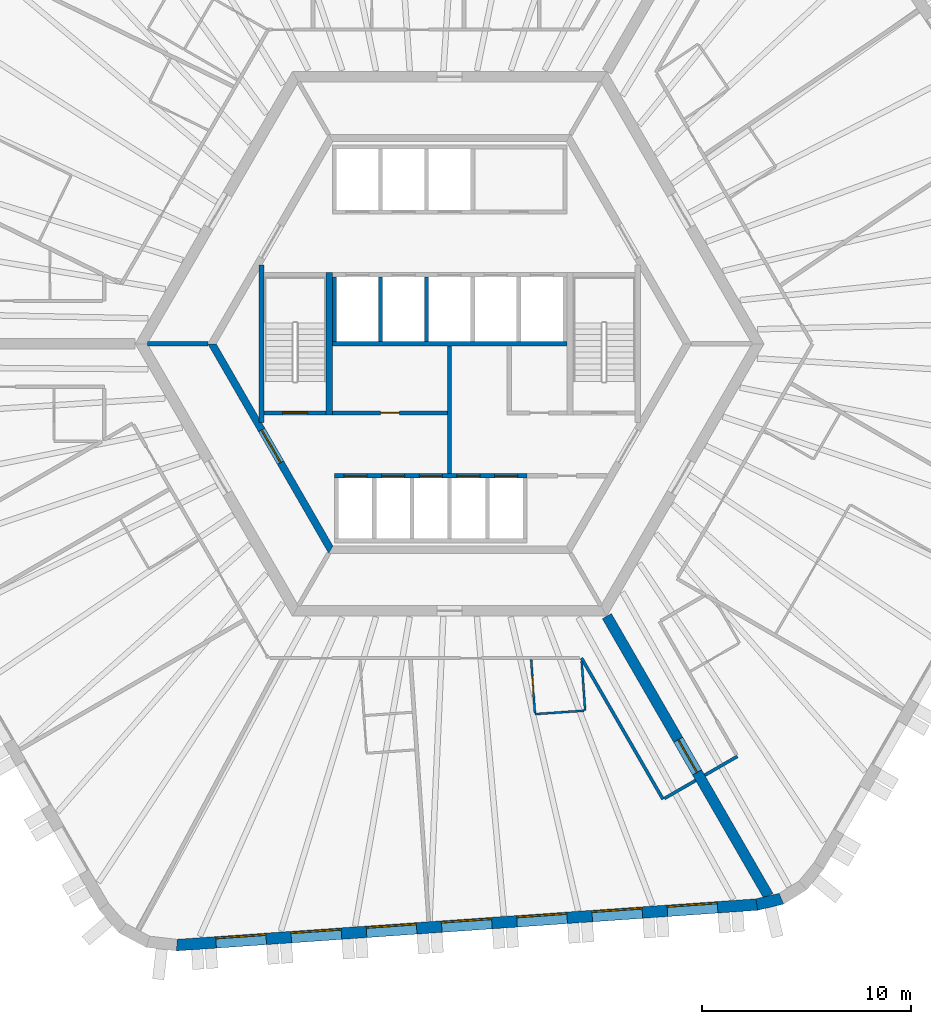
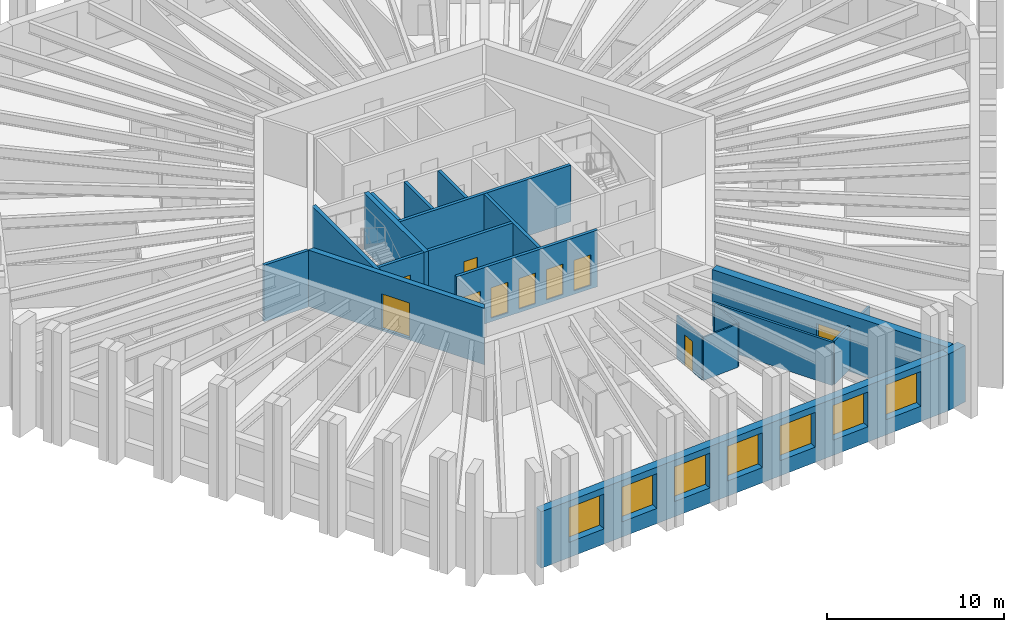
# One storey, part 4 of 11: 21 walls, 10 doors, 7 windows, 17 openings.
"""IFC4 building model written with IfcOpenShell, lengths in metres."""

from ifc_helpers import new_model, si_unit, direction, frame, frame_2d, origin, place, context, subcontext, project, spatial, polyline, rectangle, outline, extrude, material, layer, layer_set, type_object, element, fill, save


model = new_model("IFC4")

# Units and contexts
model_context = context("Model", 3, precision=1e-05, world=origin(), true_north=direction((0.0, 1.0)))
body_context = subcontext(model_context, "Body", "Model", "MODEL_VIEW")
ifc_project = project(units=[si_unit("LENGTHUNIT", "METRE"), si_unit("AREAUNIT", "SQUARE_METRE"), si_unit("VOLUMEUNIT", "CUBIC_METRE"), si_unit("PLANEANGLEUNIT", "RADIAN"), si_unit("MASSUNIT", "GRAM", prefix="KILO")], contexts=[model_context])

# Site, building, storey
site_placement = place(None, origin())
site = spatial("IfcSite", under=ifc_project, at=site_placement, CompositionType="ELEMENT")
building_placement = place(site_placement, origin())
building = spatial("IfcBuilding", under=site, at=building_placement, Name="Tarnside Tower", CompositionType="ELEMENT")
storey_placement = place(building_placement, frame((0.0, 0.0, 207.300048828125)))
storey = spatial("IfcBuildingStorey", under=building, at=storey_placement, Name="L49", CompositionType="ELEMENT", Elevation=207.300048828125)

# Walls
ifc_material_1 = material(Name="Gypsum board partition on steel studs", Category="steel")
ifc_layer_1 = layer(ifc_material_1, 0.10009765625)
ifc_layer_set_1 = layer_set([ifc_layer_1], Name="Bathroom wall 100")
wall_type_1 = type_object("IfcWallType", Name="Bathroom wall 100", PredefinedType="PARTITIONING", material=ifc_layer_set_1)
wall_1_placement = place(storey_placement, frame((6.30517578125, -15.170654296875, 0.0), z_axis=(0.0, 0.0, 1.0), x_axis=(0.06967780619, -0.997569548114, 0.0)))
element("IfcWall", 1, at=wall_1_placement, inside=storey, type_object=wall_type_1, Name="Bathroom wall 16092", PredefinedType="PARTITIONING", context=body_context, shape_type="SweptSolid", body=[
    extrude(rectangle(XDim=2.343994140625, YDim=0.10009765625, at=frame_2d((1.171875, 0.0))), origin(), (0.0, 0.0, 1.0), 2.98779296875),
])
wall_2_placement = place(storey_placement, frame((6.418701171875, -17.512451171875, 0.0), z_axis=(0.0, 0.0, 1.0), x_axis=(-0.997567210304, -0.069711268289, 0.0)))
element("IfcWall", 2, at=wall_2_placement, inside=storey, type_object=wall_type_1, Name="Bathroom wall 16093", PredefinedType="PARTITIONING", context=body_context, shape_type="SweptSolid", body=[
    extrude(rectangle(XDim=2.349853515625, YDim=0.10009765625, at=frame_2d((1.1748046875, 0.0))), origin(), (0.0, 0.0, 1.0), 2.98779296875),
])

# Wall, opening, door
wall_3_placement = place(storey_placement, frame((4.07080078125, -17.62646484375, 0.0), z_axis=(0.0, 0.0, 1.0), x_axis=(-0.06967999793, 0.997569395024, 0.0)))
wall_3 = element("IfcWall", 3, at=wall_3_placement, inside=storey, type_object=wall_type_1, Name="Bathroom wall 16094", PredefinedType="PARTITIONING", context=body_context, shape_type="SweptSolid", body=[
    extrude(rectangle(XDim=2.5576171875, YDim=0.10009765625, at=frame_2d((1.27880859375, 0.0))), origin(), (0.0, 0.0, 1.0), 2.98779296875),
])
opening_1_placement = place(wall_3_placement, frame((0.949951171875, 0.0, 0.0)))
opening_1 = element("IfcOpeningElement", 4, at=opening_1_placement, cuts=wall_3, Name="Opening D-B1", PredefinedType="OPENING", context=body_context, shape_type="SweptSolid", body=[
    extrude(rectangle(XDim=0.800048828125, YDim=2.10009765625, at=frame_2d((0.39990234375, 1.050048828125))), frame((0.0, 0.06005859375, 0.0), z_axis=(0.0, -1.0, 0.0), x_axis=(1.0, 0.0, 0.0)), (0.0, 0.0, 1.0), 0.1201171875),
])
ifc_material_2 = material(Name="Timber door leaf", Category="wood")
door_type_1 = type_object("IfcDoorType", Name="Bathroom door 800", OperationType="NOTDEFINED", PredefinedType="DOOR", material=ifc_material_2)
door_1_placement = place(opening_1_placement, origin())
door_1 = element("IfcDoor", 5, at=door_1_placement, inside=storey, type_object=door_type_1, Name="Bathroom door 16024", OperationType="SINGLE_SWING_LEFT", OverallHeight=2.10009765625, OverallWidth=0.800048828125, PredefinedType="DOOR", context=body_context, shape_type="SweptSolid", body=[
    extrude(rectangle(XDim=0.800048828125, YDim=2.10009765625, at=frame_2d((0.39990234375, 1.050048828125))), frame((0.0, 0.02490234375, 0.0), z_axis=(0.0, -1.0, 0.0), x_axis=(1.0, 0.0, 0.0)), (0.0, 0.0, 1.0), 0.050048828125),
])
fill(opening_1, door_1)

ifc_material_3 = material(Name="Concrete C50/60", Category="concrete")
ifc_layer_2 = layer(ifc_material_3, 0.35009765625)
ifc_layer_set_2 = layer_set([ifc_layer_2], Name="Core block wall 350 C50/60")
wall_type_2 = type_object("IfcWallType", Name="Core block wall 350 C50/60", PredefinedType="SHEAR", material=ifc_layer_set_2)
wall_4_placement = place(storey_placement, frame((-11.344970703125, 0.0, -0.150146484375), z_axis=(0.0, 0.0, 1.0), x_axis=(0.499995046907, -0.866028263435, 0.0)))
wall_4 = element("IfcWall", 6, at=wall_4_placement, inside=storey, type_object=wall_type_2, Name="L49 core block wall face 3", PredefinedType="SHEAR", context=body_context, shape_type="SweptSolid", body=[
    extrude(outline(polyline([(-0.10107421875, -0.175048828125), (11.44580078125, -0.175048828125), (11.24365234375, 0.175048828125), (0.10107421875, 0.175048828125), (-0.10107421875, -0.175048828125)])), origin(), (0.0, 0.0, 1.0), 3.900146484375),
])
opening_2_placement = place(wall_4_placement, frame((4.74365234375, 0.0, 0.14990234375)))
opening_2 = element("IfcOpeningElement", 7, at=opening_2_placement, cuts=wall_4, Name="Opening CD-FFL", PredefinedType="OPENING", context=body_context, shape_type="SweptSolid", body=[
    extrude(rectangle(XDim=1.800048828125, YDim=2.39990234375, at=frame_2d((0.89990234375, 1.199951171875))), frame((0.0, 0.18505859375, 0.0), z_axis=(0.0, -1.0, 0.0), x_axis=(1.0, 0.0, 0.0)), (0.0, 0.0, 1.0), 0.3701171875),
])
ifc_material_4 = material(Name="Steel fire door", Category="steel")
door_type_2 = type_object("IfcDoorType", Name="Firefighting lobby double door FD60S 1800x2400", OperationType="NOTDEFINED", PredefinedType="DOOR", material=ifc_material_4)
door_2_placement = place(opening_2_placement, origin())
door_2 = element("IfcDoor", 8, at=door_2_placement, inside=storey, type_object=door_type_2, Name="L49 lobby block door P3", OperationType="DOUBLE_DOOR_SINGLE_SWING", OverallHeight=2.39990234375, OverallWidth=1.800048828125, PredefinedType="DOOR", context=body_context, shape_type="SweptSolid", body=[
    extrude(rectangle(XDim=1.800048828125, YDim=2.39990234375, at=frame_2d((0.89990234375, 1.199951171875))), frame((0.0, 0.02490234375, 0.0), z_axis=(0.0, -1.0, 0.0), x_axis=(1.0, 0.0, 0.0)), (0.0, 0.0, 1.0), 0.050048828125),
])
fill(opening_2, door_2)

ifc_material_5 = material(Name="Concrete C40/50", Category="concrete")
ifc_layer_3 = layer(ifc_material_5, 0.199951171875)
ifc_layer_set_3 = layer_set([ifc_layer_3], Name="Core room partition 200 C40/50")
wall_type_3 = type_object("IfcWallType", Name="Core room partition 200 C40/50", PredefinedType="PARTITIONING", material=ifc_layer_set_3)
wall_5_placement = place(storey_placement, frame((-5.60009765625, -3.300048828125, 0.0), z_axis=(0.0, 0.0, 1.0), x_axis=(1.0, 0.0, 0.0)))
wall_5 = element("IfcWall", 9, at=wall_5_placement, inside=storey, type_object=wall_type_3, Name="L49 core partition W3", PredefinedType="PARTITIONING", context=body_context, shape_type="SweptSolid", body=[
    extrude(rectangle(XDim=5.5, YDim=0.199951171875, at=frame_2d((2.75, 0.0))), origin(), (0.0, 0.0, 1.0), 3.64990234375),
])
opening_3_placement = place(wall_5_placement, frame((2.300048828125, 0.0, 0.0)))
opening_3 = element("IfcOpeningElement", 10, at=opening_3_placement, cuts=wall_5, Name="Opening CD-room", PredefinedType="OPENING", context=body_context, shape_type="SweptSolid", body=[
    extrude(rectangle(XDim=0.89990234375, YDim=2.10009765625, at=frame_2d((0.449951171875, 1.050048828125))), frame((0.0, 0.10986328125, 0.0), z_axis=(0.0, -1.0, 0.0), x_axis=(1.0, 0.0, 0.0)), (0.0, 0.0, 1.0), 0.219970703125),
])
door_type_3 = type_object("IfcDoorType", Name="Room door FD60 900x2100", OperationType="NOTDEFINED", PredefinedType="DOOR", material=ifc_material_4)
door_3_placement = place(opening_3_placement, origin())
door_3 = element("IfcDoor", 11, at=door_3_placement, inside=storey, type_object=door_type_3, Name="L49 core room door W3D", OperationType="SINGLE_SWING_LEFT", OverallHeight=2.10009765625, OverallWidth=0.89990234375, PredefinedType="DOOR", context=body_context, shape_type="SweptSolid", body=[
    extrude(rectangle(XDim=0.89990234375, YDim=2.10009765625, at=frame_2d((0.449951171875, 1.050048828125))), frame((0.0, 0.02490234375, 0.0), z_axis=(0.0, -1.0, 0.0), x_axis=(1.0, 0.0, 0.0)), (0.0, 0.0, 1.0), 0.050048828125),
])
fill(opening_3, door_3)

# Wall
wall_6_placement = place(storey_placement, frame((0.0, -6.199951171875, 0.0), z_axis=(0.0, 0.0, 1.0), x_axis=(0.0, 1.0, 0.0)))
element("IfcWall", 12, at=wall_6_placement, inside=storey, type_object=wall_type_3, Name="L49 core partition X0", PredefinedType="PARTITIONING", context=body_context, shape_type="SweptSolid", body=[
    extrude(rectangle(XDim=6.099853515625, YDim=0.199951171875, at=frame_2d((3.0498046875, 0.0))), origin(), (0.0, 0.0, 1.0), 3.64990234375),
])

# Wall, opening, door
ifc_material_6 = material(Name="Concrete C70/85", Category="concrete")
ifc_layer_4 = layer(ifc_material_6, 0.5)
ifc_layer_set_4 = layer_set([ifc_layer_4], Name="Core wall Z2 500 C70/85")
wall_type_4 = type_object("IfcWallType", Name="Core wall Z2 500 C70/85", PredefinedType="SHEAR", material=ifc_layer_set_4)
wall_7_placement = place(storey_placement, frame((7.505615234375, -13.0, -0.150146484375), z_axis=(0.0, 0.0, 1.0), x_axis=(0.499988271576, -0.866032175087, 0.0)))
wall_7 = element("IfcWall", 13, at=wall_7_placement, inside=storey, type_object=wall_type_4, Name="L49 spine wall 3", PredefinedType="SHEAR", context=body_context, shape_type="SweptSolid", body=[
    extrude(rectangle(XDim=15.423583984375, YDim=0.5, at=frame_2d((7.7119140625, 0.0))), origin(), (0.0, 0.0, 1.0), 3.900146484375),
])
opening_4_placement = place(wall_7_placement, frame((6.811767578125, 0.0, 0.14990234375)))
opening_4 = element("IfcOpeningElement", 14, at=opening_4_placement, cuts=wall_7, Name="Opening CD-SPN", PredefinedType="OPENING", context=body_context, shape_type="SweptSolid", body=[
    extrude(rectangle(XDim=1.800048828125, YDim=2.39990234375, at=frame_2d((0.89990234375, 1.199951171875))), frame((0.0, 0.260009765625, 0.0), z_axis=(0.0, -1.0, 0.0), x_axis=(1.0, 0.0, 0.0)), (0.0, 0.0, 1.0), 0.52001953125),
])
door_type_4 = type_object("IfcDoorType", Name="Spine passage double door FD60 1800x2400", OperationType="NOTDEFINED", PredefinedType="DOOR", material=ifc_material_4)
door_4_placement = place(opening_4_placement, origin())
door_4 = element("IfcDoor", 15, at=door_4_placement, inside=storey, type_object=door_type_4, Name="L49 spine passage door 3", OperationType="DOUBLE_DOOR_SINGLE_SWING", OverallHeight=2.39990234375, OverallWidth=1.800048828125, PredefinedType="DOOR", context=body_context, shape_type="SweptSolid", body=[
    extrude(rectangle(XDim=1.800048828125, YDim=2.39990234375, at=frame_2d((0.89990234375, 1.199951171875))), frame((0.0, 0.02490234375, 0.0), z_axis=(0.0, -1.0, 0.0), x_axis=(1.0, 0.0, 0.0)), (0.0, 0.0, 1.0), 0.050048828125),
])
fill(opening_4, door_4)

# Walls
ifc_layer_5 = layer(ifc_material_1, 0.14990234375)
ifc_layer_set_5 = layer_set([ifc_layer_5], Name="Corridor wall 150 EI 60")
wall_type_5 = type_object("IfcWallType", Name="Corridor wall 150 EI 60", PredefinedType="PARTITIONING", material=ifc_layer_set_5)
wall_8_placement = place(storey_placement, frame((6.293212890625, -15.0, 0.0), z_axis=(0.0, 0.0, 1.0), x_axis=(0.499980313799, -0.86603676932, 0.0)))
element("IfcWall", 16, at=wall_8_placement, inside=storey, type_object=wall_type_5, Name="Corridor wall 16032", PredefinedType="PARTITIONING", context=body_context, shape_type="SweptSolid", body=[
    extrude(rectangle(XDim=7.785888671875, YDim=0.14990234375, at=frame_2d((3.89306640625, 0.0))), origin(), (0.0, 0.0, 1.0), 2.98779296875),
])
wall_9_placement = place(storey_placement, frame((10.2509765625, -21.705322265625, 0.0), z_axis=(0.0, 0.0, 1.0), x_axis=(0.866013532718, 0.500020560727, 0.0)))
element("IfcWall", 17, at=wall_9_placement, inside=storey, type_object=wall_type_5, Name="Corridor wall 16033", PredefinedType="PARTITIONING", context=body_context, shape_type="SweptSolid", body=[
    extrude(rectangle(XDim=1.72509765625, YDim=0.14990234375, at=frame_2d((0.862548828125, 0.0))), origin(), (0.0, 0.0, 1.0), 2.98779296875),
])
wall_10_placement = place(storey_placement, frame((12.177978515625, -20.5927734375, 0.0), z_axis=(0.0, 0.0, 1.0), x_axis=(0.866047807691, 0.499961193289, 0.0)))
element("IfcWall", 18, at=wall_10_placement, inside=storey, type_object=wall_type_5, Name="Corridor wall 16035", PredefinedType="PARTITIONING", context=body_context, shape_type="SweptSolid", body=[
    extrude(rectangle(XDim=1.800048828125, YDim=0.14990234375, at=frame_2d((0.89990234375, 0.0))), origin(), (0.0, 0.0, 1.0), 2.98779296875),
])
ifc_layer_6 = layer(ifc_material_5, 0.199951171875)
ifc_layer_set_6 = layer_set([ifc_layer_6], Name="Lift shaft wall 200 C40/50")
wall_type_6 = type_object("IfcWallType", Name="Lift shaft wall 200 C40/50", PredefinedType="SHEAR", material=ifc_layer_set_6)
wall_11_placement = place(storey_placement, frame((-5.60009765625, 0.0, -0.25), z_axis=(0.0, 0.0, 1.0), x_axis=(1.0, 0.0, 0.0)))
element("IfcWall", 19, at=wall_11_placement, inside=storey, type_object=wall_type_6, Name="L49 lift shaft back wall R2", PredefinedType="SHEAR", context=body_context, shape_type="SweptSolid", body=[
    extrude(rectangle(XDim=11.2001953125, YDim=0.199951171875, at=frame_2d((5.60009765625, 0.0))), origin(), (0.0, 0.0, 1.0), 3.89990234375),
])
for number, where, z_axis, x_axis, name in (
    (20, (-5.5, 0.10009765625, -0.25), (0.0, 0.0, 1.0), (0.0, 1.0, 0.0), "L49 lift shaft partition R21"),
    (21, (-3.300048828125, 0.10009765625, -0.25), (0.0, 0.0, 1.0), (0.0, 1.0, 0.0), "L49 lift shaft partition R22"),
    (22, (-1.10009765625, 0.10009765625, -0.25), (0.0, 0.0, 1.0), (0.0, 1.0, 0.0), "L49 lift shaft partition R23"),
):
    element("IfcWall", number, at=place(storey_placement, frame(where, z_axis=z_axis, x_axis=x_axis)), inside=storey, type_object=wall_type_6, Name=name, PredefinedType="SHEAR", context=body_context, shape_type="SweptSolid", body=[
        extrude(rectangle(XDim=3.099853515625, YDim=0.199951171875, at=frame_2d((1.5498046875, 0.0))), origin(), (0.0, 0.0, 1.0), 3.89990234375),
    ])

# Wall, openings, doors
wall_12_placement = place(storey_placement, frame((-5.5, -6.300048828125, -0.25), z_axis=(0.0, 0.0, 1.0), x_axis=(1.0, 0.0, 0.0)))
wall_12 = element("IfcWall", 23, at=wall_12_placement, inside=storey, type_object=wall_type_6, Name="L49 lift shaft front wall R4", PredefinedType="SHEAR", context=body_context, shape_type="SweptSolid", body=[
    extrude(rectangle(XDim=9.199951171875, YDim=0.199951171875, at=frame_2d((4.60009765625, 0.0))), origin(), (0.0, 0.0, 1.0), 3.89990234375),
])
opening_5_placement = place(wall_12_placement, frame((0.449951171875, 0.0, 0.25)))
opening_5 = element("IfcOpeningElement", 24, at=opening_5_placement, cuts=wall_12, Name="Opening LDF", PredefinedType="OPENING", context=body_context, shape_type="SweptSolid", body=[
    extrude(rectangle(XDim=1.10009765625, YDim=2.10009765625, at=frame_2d((0.550048828125, 1.050048828125))), frame((0.0, 0.10986328125, 0.0), z_axis=(0.0, -1.0, 0.0), x_axis=(1.0, 0.0, 0.0)), (0.0, 0.0, 1.0), 0.219970703125),
])
opening_6_placement = place(wall_12_placement, frame((2.25, 0.0, 0.25)))
opening_6 = element("IfcOpeningElement", 25, at=opening_6_placement, cuts=wall_12, Name="Opening LDF", PredefinedType="OPENING", context=body_context, shape_type="SweptSolid", body=[
    extrude(rectangle(XDim=1.10009765625, YDim=2.10009765625, at=frame_2d((0.550048828125, 1.050048828125))), frame((0.0, 0.10986328125, 0.0), z_axis=(0.0, -1.0, 0.0), x_axis=(1.0, 0.0, 0.0)), (0.0, 0.0, 1.0), 0.219970703125),
])
opening_7_placement = place(wall_12_placement, frame((4.050048828125, 0.0, 0.25)))
opening_7 = element("IfcOpeningElement", 26, at=opening_7_placement, cuts=wall_12, Name="Opening LDF", PredefinedType="OPENING", context=body_context, shape_type="SweptSolid", body=[
    extrude(rectangle(XDim=1.10009765625, YDim=2.10009765625, at=frame_2d((0.550048828125, 1.050048828125))), frame((0.0, 0.10986328125, 0.0), z_axis=(0.0, -1.0, 0.0), x_axis=(1.0, 0.0, 0.0)), (0.0, 0.0, 1.0), 0.219970703125),
])
opening_8_placement = place(wall_12_placement, frame((5.85009765625, 0.0, 0.25)))
opening_8 = element("IfcOpeningElement", 27, at=opening_8_placement, cuts=wall_12, Name="Opening LDF", PredefinedType="OPENING", context=body_context, shape_type="SweptSolid", body=[
    extrude(rectangle(XDim=1.10009765625, YDim=2.10009765625, at=frame_2d((0.550048828125, 1.050048828125))), frame((0.0, 0.10986328125, 0.0), z_axis=(0.0, -1.0, 0.0), x_axis=(1.0, 0.0, 0.0)), (0.0, 0.0, 1.0), 0.219970703125),
])
opening_9_placement = place(wall_12_placement, frame((7.64990234375, 0.0, 0.25)))
opening_9 = element("IfcOpeningElement", 28, at=opening_9_placement, cuts=wall_12, Name="Opening LDF", PredefinedType="OPENING", context=body_context, shape_type="SweptSolid", body=[
    extrude(rectangle(XDim=1.10009765625, YDim=2.10009765625, at=frame_2d((0.550048828125, 1.050048828125))), frame((0.0, 0.10986328125, 0.0), z_axis=(0.0, -1.0, 0.0), x_axis=(1.0, 0.0, 0.0)), (0.0, 0.0, 1.0), 0.219970703125),
])
ifc_material_7 = material(Name="Stainless steel", Category="steel")
door_type_5 = type_object("IfcDoorType", Name="Lift landing door 1100x2100 EI 120", OperationType="NOTDEFINED", PredefinedType="DOOR", material=ifc_material_7)
door_5_placement = place(opening_5_placement, origin())
door_5 = element("IfcDoor", 29, at=door_5_placement, inside=storey, type_object=door_type_5, Name="Firefighting lift 1 landing door L49", OperationType="SLIDING_TO_LEFT", OverallHeight=2.10009765625, OverallWidth=1.10009765625, PredefinedType="DOOR", context=body_context, shape_type="SweptSolid", body=[
    extrude(rectangle(XDim=1.10009765625, YDim=2.10009765625, at=frame_2d((0.550048828125, 1.050048828125))), frame((0.0, 0.02490234375, 0.0), z_axis=(0.0, -1.0, 0.0), x_axis=(1.0, 0.0, 0.0)), (0.0, 0.0, 1.0), 0.050048828125),
])
fill(opening_5, door_5)
door_6_placement = place(opening_6_placement, origin())
door_6 = element("IfcDoor", 30, at=door_6_placement, inside=storey, type_object=door_type_5, Name="Firefighting lift 2 landing door L49", OperationType="SLIDING_TO_LEFT", OverallHeight=2.10009765625, OverallWidth=1.10009765625, PredefinedType="DOOR", context=body_context, shape_type="SweptSolid", body=[
    extrude(rectangle(XDim=1.10009765625, YDim=2.10009765625, at=frame_2d((0.550048828125, 1.050048828125))), frame((0.0, 0.02490234375, 0.0), z_axis=(0.0, -1.0, 0.0), x_axis=(1.0, 0.0, 0.0)), (0.0, 0.0, 1.0), 0.050048828125),
])
fill(opening_6, door_6)
door_7_placement = place(opening_7_placement, origin())
door_7 = element("IfcDoor", 31, at=door_7_placement, inside=storey, type_object=door_type_5, Name="Firefighting lift 3 landing door L49", OperationType="SLIDING_TO_LEFT", OverallHeight=2.10009765625, OverallWidth=1.10009765625, PredefinedType="DOOR", context=body_context, shape_type="SweptSolid", body=[
    extrude(rectangle(XDim=1.10009765625, YDim=2.10009765625, at=frame_2d((0.550048828125, 1.050048828125))), frame((0.0, 0.02490234375, 0.0), z_axis=(0.0, -1.0, 0.0), x_axis=(1.0, 0.0, 0.0)), (0.0, 0.0, 1.0), 0.050048828125),
])
fill(opening_7, door_7)
door_8_placement = place(opening_8_placement, origin())
door_8 = element("IfcDoor", 32, at=door_8_placement, inside=storey, type_object=door_type_5, Name="Firefighting lift 4 landing door L49", OperationType="SLIDING_TO_LEFT", OverallHeight=2.10009765625, OverallWidth=1.10009765625, PredefinedType="DOOR", context=body_context, shape_type="SweptSolid", body=[
    extrude(rectangle(XDim=1.10009765625, YDim=2.10009765625, at=frame_2d((0.550048828125, 1.050048828125))), frame((0.0, 0.02490234375, 0.0), z_axis=(0.0, -1.0, 0.0), x_axis=(1.0, 0.0, 0.0)), (0.0, 0.0, 1.0), 0.050048828125),
])
fill(opening_8, door_8)
door_9_placement = place(opening_9_placement, origin())
door_9 = element("IfcDoor", 33, at=door_9_placement, inside=storey, type_object=door_type_5, Name="Firefighting lift 5 landing door L49", OperationType="SLIDING_TO_LEFT", OverallHeight=2.10009765625, OverallWidth=1.10009765625, PredefinedType="DOOR", context=body_context, shape_type="SweptSolid", body=[
    extrude(rectangle(XDim=1.10009765625, YDim=2.10009765625, at=frame_2d((0.550048828125, 1.050048828125))), frame((0.0, 0.02490234375, 0.0), z_axis=(0.0, -1.0, 0.0), x_axis=(1.0, 0.0, 0.0)), (0.0, 0.0, 1.0), 0.050048828125),
])
fill(opening_9, door_9)

# Wall
wall_13_placement = place(storey_placement, frame((-11.547119140625, 0.0, -0.150146484375), z_axis=(0.0, 0.0, 1.0), x_axis=(-1.0, 0.0, 0.0)))
element("IfcWall", 34, at=wall_13_placement, inside=storey, type_object=wall_type_6, Name="L49 core partition AR180", PredefinedType="SHEAR", context=body_context, shape_type="SweptSolid", body=[
    extrude(rectangle(XDim=2.88671875, YDim=0.199951171875, at=frame_2d((1.443359375, 0.0))), origin(), (0.0, 0.0, 1.0), 3.900146484375),
])

# Wall, opening, door
wall_14_placement = place(storey_placement, frame((-8.85009765625, -3.300048828125, -0.25), z_axis=(0.0, 0.0, 1.0), x_axis=(1.0, 0.0, 0.0)))
wall_14 = element("IfcWall", 35, at=wall_14_placement, inside=storey, type_object=wall_type_6, Name="L49 stair 2 enclosure cap wall s", PredefinedType="SHEAR", context=body_context, shape_type="SweptSolid", body=[
    extrude(rectangle(XDim=2.9501953125, YDim=0.199951171875, at=frame_2d((1.47509765625, 0.0))), origin(), (0.0, 0.0, 1.0), 3.89990234375),
])
opening_10_placement = place(wall_14_placement, frame((0.875, 0.0, 0.25)))
opening_10 = element("IfcOpeningElement", 36, at=opening_10_placement, cuts=wall_14, Name="Opening CD-STR", PredefinedType="OPENING", context=body_context, shape_type="SweptSolid", body=[
    extrude(rectangle(XDim=1.199951171875, YDim=2.39990234375, at=frame_2d((0.60009765625, 1.199951171875))), frame((0.0, 0.10986328125, 0.0), z_axis=(0.0, -1.0, 0.0), x_axis=(1.0, 0.0, 0.0)), (0.0, 0.0, 1.0), 0.219970703125),
])
door_type_6 = type_object("IfcDoorType", Name="Stair door FD60S 1200x2400", OperationType="NOTDEFINED", PredefinedType="DOOR", material=ifc_material_4)
door_10_placement = place(opening_10_placement, origin())
door_10 = element("IfcDoor", 37, at=door_10_placement, inside=storey, type_object=door_type_6, Name="L49 stair 2 door", OperationType="SINGLE_SWING_LEFT", OverallHeight=2.39990234375, OverallWidth=1.199951171875, PredefinedType="DOOR", context=body_context, shape_type="SweptSolid", body=[
    extrude(rectangle(XDim=1.199951171875, YDim=2.39990234375, at=frame_2d((0.60009765625, 1.199951171875))), frame((0.0, 0.02490234375, 0.0), z_axis=(0.0, -1.0, 0.0), x_axis=(1.0, 0.0, 0.0)), (0.0, 0.0, 1.0), 0.050048828125),
])
fill(opening_10, door_10)

# Walls
ifc_layer_7 = layer(ifc_material_5, 0.25)
ifc_layer_set_7 = layer_set([ifc_layer_7], Name="Stair enclosure wall 250 C40/50")
wall_type_7 = type_object("IfcWallType", Name="Stair enclosure wall 250 C40/50", PredefinedType="SHEAR", material=ifc_layer_set_7)
wall_15_placement = place(storey_placement, frame((-8.97509765625, -3.7548828125, -0.25), z_axis=(0.0, 0.0, 1.0), x_axis=(0.0, 1.0, 0.0)))
element("IfcWall", 38, at=wall_15_placement, inside=storey, type_object=wall_type_7, Name="L49 stair 2 enclosure wall outer", PredefinedType="SHEAR", context=body_context, shape_type="SweptSolid", body=[
    extrude(rectangle(XDim=7.509765625, YDim=0.25, at=frame_2d((3.7548828125, 0.0))), origin(), (0.0, 0.0, 1.0), 3.89990234375),
])
ifc_layer_8 = layer(ifc_material_5, 0.300048828125)
ifc_layer_set_8 = layer_set([ifc_layer_8], Name="Stair enclosure wall 300 C40/50")
wall_type_8 = type_object("IfcWallType", Name="Stair enclosure wall 300 C40/50", PredefinedType="SHEAR", material=ifc_layer_set_8)
wall_16_placement = place(storey_placement, frame((-5.75, -3.39990234375, -0.25), z_axis=(0.0, 0.0, 1.0), x_axis=(0.0, 1.0, 0.0)))
element("IfcWall", 39, at=wall_16_placement, inside=storey, type_object=wall_type_8, Name="L49 stair 2 enclosure wall inner", PredefinedType="SHEAR", context=body_context, shape_type="SweptSolid", body=[
    extrude(rectangle(XDim=6.7998046875, YDim=0.300048828125, at=frame_2d((3.39990234375, 0.0))), origin(), (0.0, 0.0, 1.0), 3.89990234375),
])

# Wall, openings, windows
ifc_material_8 = material(Name="Facing brick", Category="masonry")
ifc_layer_9 = layer(ifc_material_8, 0.10205078125)
ifc_material_9 = material(Name="Concrete C60/75 precast", Category="concrete")
ifc_layer_10 = layer(ifc_material_9, 0.347900390625)
ifc_material_10 = material(Name="Mineral wool insulation")
ifc_layer_11 = layer(ifc_material_10, 0.10009765625)
ifc_layer_set_9 = layer_set([ifc_layer_9, ifc_layer_10, ifc_layer_11], Name="Tube wall 550 brick faced")
wall_type_9 = type_object("IfcWallType", Name="Tube wall 550 brick faced", PredefinedType="SOLIDWALL", material=ifc_layer_set_9)
wall_17_placement = place(storey_placement, frame((-13.0263671875, -28.70361328125, -0.150146484375), z_axis=(0.0, 0.0, 1.0), x_axis=(0.99756406806, 0.069756219185, 0.0)))
wall_17 = element("IfcWall", 40, at=wall_17_placement, inside=storey, type_object=wall_type_9, Name="Tube wall L49 F4 flush 12", PredefinedType="SOLIDWALL", context=body_context, shape_type="SweptSolid", body=[
    extrude(outline(polyline([(-0.025634765625, -0.27490234375), (27.7802734375, -0.27490234375), (27.7353515625, 0.27490234375), (0.025634765625, 0.27490234375), (-0.025634765625, -0.27490234375)])), origin(), (0.0, 0.0, 1.0), 3.900146484375),
])
opening_11_placement = place(wall_17_placement, frame((1.87890625, 0.0, 1.050048828125)))
opening_11 = element("IfcOpeningElement", 41, at=opening_11_placement, cuts=wall_17, Name="Opening WH", PredefinedType="OPENING", context=body_context, shape_type="SweptSolid", body=[
    extrude(rectangle(XDim=2.39990234375, YDim=2.39990234375, at=frame_2d((1.199951171875, 1.199951171875))), frame((0.0, 0.28515625, 0.0), z_axis=(0.0, -1.0, 0.0), x_axis=(1.0, 0.0, 0.0)), (0.0, 0.0, 1.0), 0.570068359375),
])
opening_12_placement = place(wall_17_placement, frame((5.47900390625, 0.0, 1.050048828125)))
opening_12 = element("IfcOpeningElement", 42, at=opening_12_placement, cuts=wall_17, Name="Opening WH", PredefinedType="OPENING", context=body_context, shape_type="SweptSolid", body=[
    extrude(rectangle(XDim=2.39990234375, YDim=2.39990234375, at=frame_2d((1.199951171875, 1.199951171875))), frame((0.0, 0.28515625, 0.0), z_axis=(0.0, -1.0, 0.0), x_axis=(1.0, 0.0, 0.0)), (0.0, 0.0, 1.0), 0.570068359375),
])
opening_13_placement = place(wall_17_placement, frame((9.078857421875, 0.0, 1.050048828125)))
opening_13 = element("IfcOpeningElement", 43, at=opening_13_placement, cuts=wall_17, Name="Opening WH", PredefinedType="OPENING", context=body_context, shape_type="SweptSolid", body=[
    extrude(rectangle(XDim=2.39990234375, YDim=2.39990234375, at=frame_2d((1.199951171875, 1.199951171875))), frame((0.0, 0.28515625, 0.0), z_axis=(0.0, -1.0, 0.0), x_axis=(1.0, 0.0, 0.0)), (0.0, 0.0, 1.0), 0.570068359375),
])
opening_14_placement = place(wall_17_placement, frame((12.678955078125, 0.0, 1.050048828125)))
opening_14 = element("IfcOpeningElement", 44, at=opening_14_placement, cuts=wall_17, Name="Opening WH", PredefinedType="OPENING", context=body_context, shape_type="SweptSolid", body=[
    extrude(rectangle(XDim=2.39990234375, YDim=2.39990234375, at=frame_2d((1.199951171875, 1.199951171875))), frame((0.0, 0.28515625, 0.0), z_axis=(0.0, -1.0, 0.0), x_axis=(1.0, 0.0, 0.0)), (0.0, 0.0, 1.0), 0.570068359375),
])
opening_15_placement = place(wall_17_placement, frame((16.27880859375, 0.0, 1.050048828125)))
opening_15 = element("IfcOpeningElement", 45, at=opening_15_placement, cuts=wall_17, Name="Opening WH", PredefinedType="OPENING", context=body_context, shape_type="SweptSolid", body=[
    extrude(rectangle(XDim=2.39990234375, YDim=2.39990234375, at=frame_2d((1.199951171875, 1.199951171875))), frame((0.0, 0.28515625, 0.0), z_axis=(0.0, -1.0, 0.0), x_axis=(1.0, 0.0, 0.0)), (0.0, 0.0, 1.0), 0.570068359375),
])
opening_16_placement = place(wall_17_placement, frame((19.87890625, 0.0, 1.050048828125)))
opening_16 = element("IfcOpeningElement", 46, at=opening_16_placement, cuts=wall_17, Name="Opening WH", PredefinedType="OPENING", context=body_context, shape_type="SweptSolid", body=[
    extrude(rectangle(XDim=2.39990234375, YDim=2.39990234375, at=frame_2d((1.199951171875, 1.199951171875))), frame((0.0, 0.28515625, 0.0), z_axis=(0.0, -1.0, 0.0), x_axis=(1.0, 0.0, 0.0)), (0.0, 0.0, 1.0), 0.570068359375),
])
opening_17_placement = place(wall_17_placement, frame((23.47900390625, 0.0, 1.050048828125)))
opening_17 = element("IfcOpeningElement", 47, at=opening_17_placement, cuts=wall_17, Name="Opening WH", PredefinedType="OPENING", context=body_context, shape_type="SweptSolid", body=[
    extrude(rectangle(XDim=2.39990234375, YDim=2.39990234375, at=frame_2d((1.199951171875, 1.199951171875))), frame((0.0, 0.28515625, 0.0), z_axis=(0.0, -1.0, 0.0), x_axis=(1.0, 0.0, 0.0)), (0.0, 0.0, 1.0), 0.570068359375),
])
ifc_material_11 = material(Name="Aluminium-framed double glazing", Category="aluminium")
window_type = type_object("IfcWindowType", Name="Hotel window 2400 x 2400", PartitioningType="DOUBLE_PANEL_VERTICAL", PredefinedType="WINDOW", material=ifc_material_11)
window_1_placement = place(opening_11_placement, frame((0.0, 0.205078125, 0.0)))
window_1 = element("IfcWindow", 48, at=window_1_placement, inside=storey, type_object=window_type, Name="E.WN.L49.F4.00", OverallHeight=2.39990234375, OverallWidth=2.39990234375, PartitioningType="DOUBLE_PANEL_VERTICAL", PredefinedType="WINDOW", context=body_context, shape_type="SweptSolid", body=[
    extrude(rectangle(XDim=2.39990234375, YDim=2.39990234375, at=frame_2d((1.199951171875, 1.199951171875))), frame((0.0, 0.030029296875, 0.0), z_axis=(0.0, -1.0, 0.0), x_axis=(1.0, 0.0, 0.0)), (0.0, 0.0, 1.0), 0.06005859375),
])
fill(opening_11, window_1)
window_2_placement = place(opening_12_placement, frame((0.0, 0.205078125, 0.0)))
window_2 = element("IfcWindow", 49, at=window_2_placement, inside=storey, type_object=window_type, Name="E.WN.L49.F4.01", OverallHeight=2.39990234375, OverallWidth=2.39990234375, PartitioningType="DOUBLE_PANEL_VERTICAL", PredefinedType="WINDOW", context=body_context, shape_type="SweptSolid", body=[
    extrude(rectangle(XDim=2.39990234375, YDim=2.39990234375, at=frame_2d((1.199951171875, 1.199951171875))), frame((0.0, 0.030029296875, 0.0), z_axis=(0.0, -1.0, 0.0), x_axis=(1.0, 0.0, 0.0)), (0.0, 0.0, 1.0), 0.06005859375),
])
fill(opening_12, window_2)
window_3_placement = place(opening_13_placement, frame((0.0, 0.205078125, 0.0)))
window_3 = element("IfcWindow", 50, at=window_3_placement, inside=storey, type_object=window_type, Name="E.WN.L49.F4.02", OverallHeight=2.39990234375, OverallWidth=2.39990234375, PartitioningType="DOUBLE_PANEL_VERTICAL", PredefinedType="WINDOW", context=body_context, shape_type="SweptSolid", body=[
    extrude(rectangle(XDim=2.39990234375, YDim=2.39990234375, at=frame_2d((1.199951171875, 1.199951171875))), frame((0.0, 0.030029296875, 0.0), z_axis=(0.0, -1.0, 0.0), x_axis=(1.0, 0.0, 0.0)), (0.0, 0.0, 1.0), 0.06005859375),
])
fill(opening_13, window_3)
window_4_placement = place(opening_14_placement, frame((0.0, 0.205078125, 0.0)))
window_4 = element("IfcWindow", 51, at=window_4_placement, inside=storey, type_object=window_type, Name="E.WN.L49.F4.03", OverallHeight=2.39990234375, OverallWidth=2.39990234375, PartitioningType="DOUBLE_PANEL_VERTICAL", PredefinedType="WINDOW", context=body_context, shape_type="SweptSolid", body=[
    extrude(rectangle(XDim=2.39990234375, YDim=2.39990234375, at=frame_2d((1.199951171875, 1.199951171875))), frame((0.0, 0.030029296875, 0.0), z_axis=(0.0, -1.0, 0.0), x_axis=(1.0, 0.0, 0.0)), (0.0, 0.0, 1.0), 0.06005859375),
])
fill(opening_14, window_4)
window_5_placement = place(opening_15_placement, frame((0.0, 0.205078125, 0.0)))
window_5 = element("IfcWindow", 52, at=window_5_placement, inside=storey, type_object=window_type, Name="E.WN.L49.F4.04", OverallHeight=2.39990234375, OverallWidth=2.39990234375, PartitioningType="DOUBLE_PANEL_VERTICAL", PredefinedType="WINDOW", context=body_context, shape_type="SweptSolid", body=[
    extrude(rectangle(XDim=2.39990234375, YDim=2.39990234375, at=frame_2d((1.199951171875, 1.199951171875))), frame((0.0, 0.030029296875, 0.0), z_axis=(0.0, -1.0, 0.0), x_axis=(1.0, 0.0, 0.0)), (0.0, 0.0, 1.0), 0.06005859375),
])
fill(opening_15, window_5)
window_6_placement = place(opening_16_placement, frame((0.0, 0.205078125, 0.0)))
window_6 = element("IfcWindow", 53, at=window_6_placement, inside=storey, type_object=window_type, Name="E.WN.L49.F4.05", OverallHeight=2.39990234375, OverallWidth=2.39990234375, PartitioningType="DOUBLE_PANEL_VERTICAL", PredefinedType="WINDOW", context=body_context, shape_type="SweptSolid", body=[
    extrude(rectangle(XDim=2.39990234375, YDim=2.39990234375, at=frame_2d((1.199951171875, 1.199951171875))), frame((0.0, 0.030029296875, 0.0), z_axis=(0.0, -1.0, 0.0), x_axis=(1.0, 0.0, 0.0)), (0.0, 0.0, 1.0), 0.06005859375),
])
fill(opening_16, window_6)
window_7_placement = place(opening_17_placement, frame((0.0, 0.205078125, 0.0)))
window_7 = element("IfcWindow", 54, at=window_7_placement, inside=storey, type_object=window_type, Name="E.WN.L49.F4.06", OverallHeight=2.39990234375, OverallWidth=2.39990234375, PartitioningType="DOUBLE_PANEL_VERTICAL", PredefinedType="WINDOW", context=body_context, shape_type="SweptSolid", body=[
    extrude(rectangle(XDim=2.39990234375, YDim=2.39990234375, at=frame_2d((1.199951171875, 1.199951171875))), frame((0.0, 0.030029296875, 0.0), z_axis=(0.0, -1.0, 0.0), x_axis=(1.0, 0.0, 0.0)), (0.0, 0.0, 1.0), 0.06005859375),
])
fill(opening_17, window_7)

# Wall
wall_18_placement = place(storey_placement, frame((14.663818359375, -26.767333984375, -0.150146484375), z_axis=(0.0, 0.0, 1.0), x_axis=(0.973063591128, 0.230536868247, 0.0)))
element("IfcWall", 55, at=wall_18_placement, inside=storey, type_object=wall_type_9, Name="Tube wall L49 F4 chord 13", PredefinedType="SOLIDWALL", context=body_context, shape_type="SweptSolid", body=[
    extrude(outline(polyline([(-0.0224609375, -0.27490234375), (1.25341796875, -0.27490234375), (1.1630859375, 0.27490234375), (0.0224609375, 0.27490234375), (-0.0224609375, -0.27490234375)])), origin(), (0.0, 0.0, 1.0), 3.900146484375),
])

save(model, "model.ifc")
